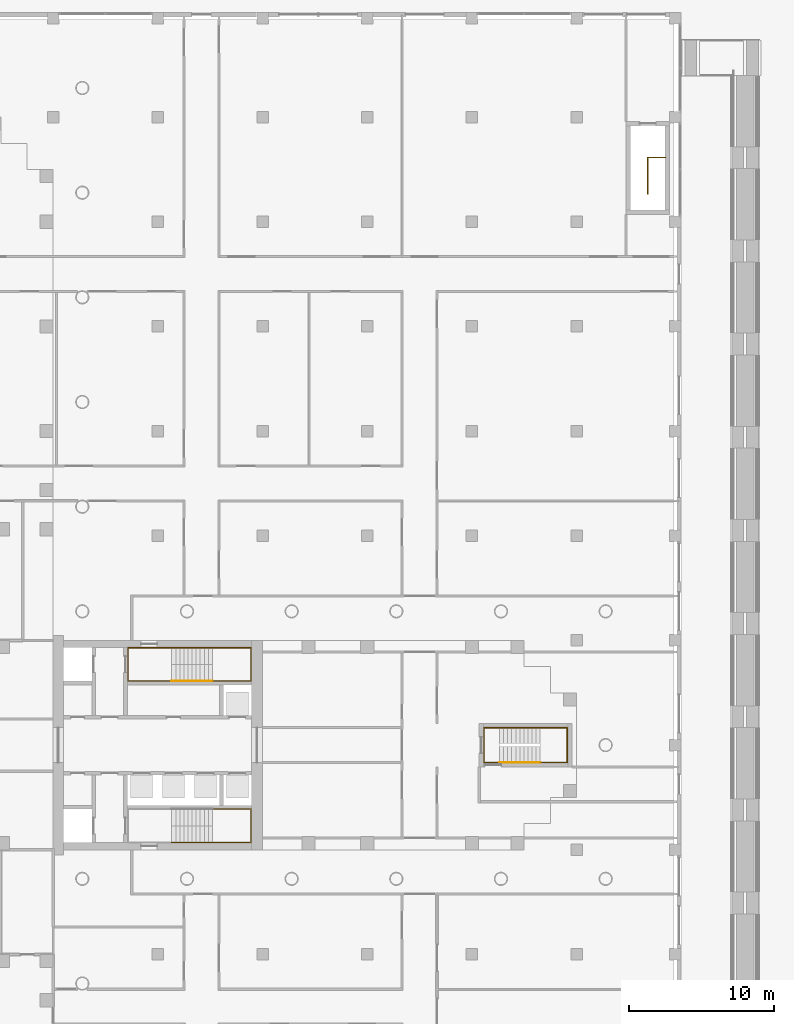
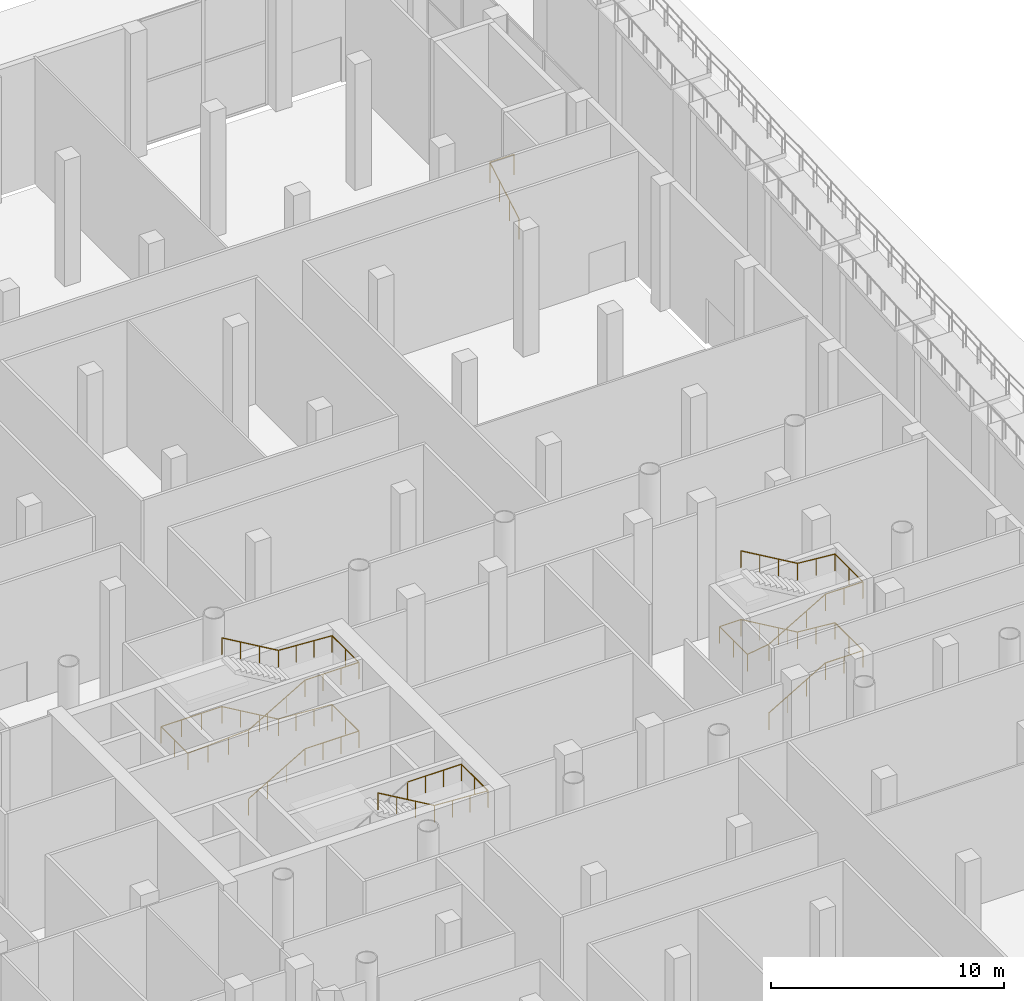
# One storey, part 43 of 44: 10 railings.
"""IFC4 building model written with IfcOpenShell, lengths in metres."""

from ifc_helpers import new_model, si_unit, direction, frame, origin, origin_2d, place, context, subcontext, project, spatial, circle, extrude, material, type_object, element, save


model = new_model("IFC4")

# Units and contexts
model_context = context("Model", 3, precision=1e-05, world=origin(), true_north=direction((0.0, 1.0)))
body_context = subcontext(model_context, "Body", "Model", "MODEL_VIEW")
ifc_project = project(units=[si_unit("LENGTHUNIT", "METRE"), si_unit("AREAUNIT", "SQUARE_METRE"), si_unit("VOLUMEUNIT", "CUBIC_METRE"), si_unit("PLANEANGLEUNIT", "RADIAN"), si_unit("MASSUNIT", "GRAM", prefix="KILO")], contexts=[model_context])

# Site, building, storey
site_placement = place(None, origin())
site = spatial("IfcSite", under=ifc_project, at=site_placement, CompositionType="ELEMENT")
building_placement = place(site_placement, origin())
building = spatial("IfcBuilding", under=site, at=building_placement, Name="Fustian Cross Tower", CompositionType="ELEMENT")
storey_placement = place(building_placement, origin())
storey = spatial("IfcBuildingStorey", under=building, at=storey_placement, Name="L00", CompositionType="ELEMENT", Elevation=0.0)

# Railings
ifc_material_1 = material(Name="Stainless steel", Category="steel")
railing_type_1 = type_object("IfcRailingType", Name="STAIR GUARD", PredefinedType="GUARDRAIL", material=ifc_material_1)
railing_1_placement = place(storey_placement, frame((48.10009765625, 37.89990234375, -1.43994140625)))
element("IfcRailing", 1, at=railing_1_placement, inside=storey, type_object=railing_type_1, Name="Stair ST10 guard", PredefinedType="GUARDRAIL", context=body_context, shape_type="SweptSolid", body=[
    extrude(circle(Radius=0.02490234375, at=origin_2d()), frame((0.0, 0.0, 1.0751953125), z_axis=(0.0, 0.868253494771, 0.496120820787), x_axis=(-1.0, 0.0, 0.0)), (0.0, 0.0, 1.0), 2.90234375),
    extrude(circle(Radius=0.02490234375, at=origin_2d()), frame((0.0, 2.52001953125, 2.51513671875), z_axis=(1.0, 0.0, 0.0), x_axis=(0.0, 1.0, 0.0)), (0.0, 0.0, 1.0), 1.199951171875),
    extrude(circle(Radius=0.02001953125, at=origin_2d()), origin(), (0.0, 0.0, 1.0), 1.050048828125),
    extrude(circle(Radius=0.02001953125, at=origin_2d()), frame((0.0, 0.840087890625, 0.47998046875)), (0.0, 0.0, 1.0), 1.050048828125),
    extrude(circle(Radius=0.02001953125, at=origin_2d()), frame((0.0, 1.679931640625, 0.9599609375)), (0.0, 0.0, 1.0), 1.050048828125),
    extrude(circle(Radius=0.02001953125, at=origin_2d()), frame((0.0, 2.52001953125, 1.43994140625)), (0.0, 0.0, 1.0), 1.050048828125),
    extrude(circle(Radius=0.02001953125, at=origin_2d()), frame((1.199951171875, 2.52001953125, 1.43994140625)), (0.0, 0.0, 1.0), 1.050048828125),
])
ifc_material_2 = material(Name="Stainless steel", Category="steel")
railing_type_2 = type_object("IfcRailingType", Name="STAIR HANDRAIL", PredefinedType="HANDRAIL", material=ifc_material_2)
railing_2_placement = place(storey_placement, frame((15.35009765625, 4.39990234375, 0.16357421875)))
element("IfcRailing", 2, at=railing_2_placement, inside=storey, type_object=railing_type_2, Name="Stair ST1 handrail 1", PredefinedType="HANDRAIL", context=body_context, shape_type="SweptSolid", body=[
    extrude(circle(Radius=0.02490234375, at=origin_2d()), frame((0.0, 0.0, 0.875), z_axis=(0.863341702679, 0.0, 0.504619762213), x_axis=(0.0, 1.0, 0.0)), (0.0, 0.0, 1.0), 3.242919921875),
    extrude(circle(Radius=0.02001953125, at=origin_2d()), origin(), (0.0, 0.0, 1.0), 0.849853515625),
    extrude(circle(Radius=0.02001953125, at=origin_2d()), frame((0.933349609375, 0.0, 0.54541015625)), (0.0, 0.0, 1.0), 0.849853515625),
    extrude(circle(Radius=0.02001953125, at=origin_2d()), frame((1.866455078125, 0.0, 1.091064453125)), (0.0, 0.0, 1.0), 0.849853515625),
    extrude(circle(Radius=0.02001953125, at=origin_2d()), frame((2.7998046875, 0.0, 1.636474609375)), (0.0, 0.0, 1.0), 0.849853515625),
])
railing_3_placement = place(storey_placement, frame((18.14990234375, 4.39990234375, 1.800048828125)))
element("IfcRailing", 3, at=railing_3_placement, inside=storey, type_object=railing_type_2, Name="Stair ST1 handrail 2", PredefinedType="HANDRAIL", context=body_context, shape_type="SweptSolid", body=[
    extrude(circle(Radius=0.02490234375, at=origin_2d()), frame((0.0, 0.0, 0.875), z_axis=(1.0, 0.0, 0.0), x_axis=(0.0, 1.0, 0.0)), (0.0, 0.0, 1.0), 2.66015625),
    extrude(circle(Radius=0.02490234375, at=origin_2d()), frame((2.66015625, 0.0, 0.875), z_axis=(0.0, 1.0, 0.0), x_axis=(-1.0, 0.0, 0.0)), (0.0, 0.0, 1.0), 2.300048828125),
    extrude(circle(Radius=0.02490234375, at=origin_2d()), frame((2.66015625, 2.300048828125, 0.875), z_axis=(-0.998114806323, 0.0, 0.061374533796), x_axis=(0.0, -1.0, 0.0)), (0.0, 0.0, 1.0), 2.665283203125),
    extrude(circle(Radius=0.02490234375, at=origin_2d()), frame((0.0, 2.300048828125, 1.03857421875), z_axis=(-0.863341702679, 0.0, 0.504619762213), x_axis=(0.0, -1.0, 0.0)), (0.0, 0.0, 1.0), 3.242919921875),
    extrude(circle(Radius=0.02001953125, at=origin_2d()), origin(), (0.0, 0.0, 1.0), 0.849853515625),
    extrude(circle(Radius=0.02001953125, at=origin_2d()), frame((0.88671875, 0.0, 0.0)), (0.0, 0.0, 1.0), 0.849853515625),
    extrude(circle(Radius=0.02001953125, at=origin_2d()), frame((1.7734375, 0.0, 0.0)), (0.0, 0.0, 1.0), 0.849853515625),
    extrude(circle(Radius=0.02001953125, at=origin_2d()), frame((2.66015625, 0.0, 0.0)), (0.0, 0.0, 1.0), 0.849853515625),
    extrude(circle(Radius=0.02001953125, at=origin_2d()), frame((2.66015625, 1.14990234375, 0.0)), (0.0, 0.0, 1.0), 0.849853515625),
    extrude(circle(Radius=0.02001953125, at=origin_2d()), frame((2.66015625, 2.300048828125, 0.0)), (0.0, 0.0, 1.0), 0.849853515625),
    extrude(circle(Radius=0.02001953125, at=origin_2d()), frame((1.7734375, 2.300048828125, 0.054443359375)), (0.0, 0.0, 1.0), 0.849853515625),
    extrude(circle(Radius=0.02001953125, at=origin_2d()), frame((0.88671875, 2.300048828125, 0.109130859375)), (0.0, 0.0, 1.0), 0.849853515625),
    extrude(circle(Radius=0.02001953125, at=origin_2d()), frame((0.0, 2.300048828125, 0.16357421875)), (0.0, 0.0, 1.0), 0.849853515625),
    extrude(circle(Radius=0.02001953125, at=origin_2d()), frame((-0.933349609375, 2.300048828125, 0.708984375)), (0.0, 0.0, 1.0), 0.849853515625),
    extrude(circle(Radius=0.02001953125, at=origin_2d()), frame((-1.866455078125, 2.300048828125, 1.254638671875)), (0.0, 0.0, 1.0), 0.849853515625),
    extrude(circle(Radius=0.02001953125, at=origin_2d()), frame((-2.7998046875, 2.300048828125, 1.800048828125)), (0.0, 0.0, 1.0), 0.849853515625),
])
railing_4_placement = place(storey_placement, frame((15.35009765625, 6.699951171875, 3.60009765625)))
element("IfcRailing", 4, at=railing_4_placement, inside=storey, type_object=railing_type_2, Name="Stair ST1 handrail 3", PredefinedType="HANDRAIL", context=body_context, shape_type="SweptSolid", body=[
    extrude(circle(Radius=0.02490234375, at=origin_2d()), frame((0.0, 0.0, 0.875), z_axis=(-1.0, 0.0, 0.0), x_axis=(0.0, -1.0, 0.0)), (0.0, 0.0, 1.0), 3.010009765625),
    extrude(circle(Radius=0.02490234375, at=origin_2d()), frame((-3.010009765625, 0.0, 0.875), z_axis=(0.0, -1.0, 0.0), x_axis=(1.0, 0.0, 0.0)), (0.0, 0.0, 1.0), 2.300048828125),
    extrude(circle(Radius=0.02490234375, at=origin_2d()), frame((-3.010009765625, -2.300048828125, 0.875), z_axis=(0.998526658971, 0.0, 0.05426335157), x_axis=(0.0, 1.0, 0.0)), (0.0, 0.0, 1.0), 3.014404296875),
    extrude(circle(Radius=0.02490234375, at=origin_2d()), frame((0.0, -2.300048828125, 1.03857421875), z_axis=(0.863374499697, 0.0, 0.504563646405), x_axis=(0.0, 1.0, 0.0)), (0.0, 0.0, 1.0), 3.242919921875),
    extrude(circle(Radius=0.02001953125, at=origin_2d()), origin(), (0.0, 0.0, 1.0), 0.849853515625),
    extrude(circle(Radius=0.02001953125, at=origin_2d()), frame((-1.00341796875, 0.0, 0.0)), (0.0, 0.0, 1.0), 0.849853515625),
    extrude(circle(Radius=0.02001953125, at=origin_2d()), frame((-2.006591796875, 0.0, 0.0)), (0.0, 0.0, 1.0), 0.849853515625),
    extrude(circle(Radius=0.02001953125, at=origin_2d()), frame((-3.010009765625, 0.0, 0.0)), (0.0, 0.0, 1.0), 0.849853515625),
    extrude(circle(Radius=0.02001953125, at=origin_2d()), frame((-3.010009765625, -1.14990234375, 0.0)), (0.0, 0.0, 1.0), 0.849853515625),
    extrude(circle(Radius=0.02001953125, at=origin_2d()), frame((-3.010009765625, -2.300048828125, 0.0)), (0.0, 0.0, 1.0), 0.849853515625),
    extrude(circle(Radius=0.02001953125, at=origin_2d()), frame((-2.006591796875, -2.300048828125, 0.054443359375)), (0.0, 0.0, 1.0), 0.849853515625),
    extrude(circle(Radius=0.02001953125, at=origin_2d()), frame((-1.00341796875, -2.300048828125, 0.109130859375)), (0.0, 0.0, 1.0), 0.849853515625),
    extrude(circle(Radius=0.02001953125, at=origin_2d()), frame((0.0, -2.300048828125, 0.16357421875)), (0.0, 0.0, 1.0), 0.849853515625),
    extrude(circle(Radius=0.02001953125, at=origin_2d()), frame((0.933349609375, -2.300048828125, 0.708984375)), (0.0, 0.0, 1.0), 0.849853515625),
    extrude(circle(Radius=0.02001953125, at=origin_2d()), frame((1.866455078125, -2.300048828125, 1.25439453125)), (0.0, 0.0, 1.0), 0.849853515625),
    extrude(circle(Radius=0.02001953125, at=origin_2d()), frame((2.7998046875, -2.300048828125, 1.7998046875)), (0.0, 0.0, 1.0), 0.849853515625),
])
railing_5_placement = place(storey_placement, frame((18.14990234375, 4.39990234375, 5.39990234375)))
element("IfcRailing", 5, at=railing_5_placement, inside=storey, type_object=railing_type_2, Name="Stair ST1 handrail 4", PredefinedType="HANDRAIL", context=body_context, shape_type="SweptSolid", body=[
    extrude(circle(Radius=0.02490234375, at=origin_2d()), frame((0.0, 0.0, 0.875), z_axis=(1.0, 0.0, 0.0), x_axis=(0.0, 1.0, 0.0)), (0.0, 0.0, 1.0), 2.66015625),
    extrude(circle(Radius=0.02490234375, at=origin_2d()), frame((2.66015625, 0.0, 0.875), z_axis=(0.0, 1.0, 0.0), x_axis=(-1.0, 0.0, 0.0)), (0.0, 0.0, 1.0), 2.300048828125),
    extrude(circle(Radius=0.02490234375, at=origin_2d()), frame((2.66015625, 2.300048828125, 0.875), z_axis=(-0.998109190642, 0.0, 0.061465791751), x_axis=(0.0, -1.0, 0.0)), (0.0, 0.0, 1.0), 2.665283203125),
    extrude(circle(Radius=0.02490234375, at=origin_2d()), frame((0.0, 2.300048828125, 1.03857421875), z_axis=(-0.863374499697, 0.0, 0.504563646405), x_axis=(0.0, -1.0, 0.0)), (0.0, 0.0, 1.0), 3.242919921875),
    extrude(circle(Radius=0.02001953125, at=origin_2d()), origin(), (0.0, 0.0, 1.0), 0.849853515625),
    extrude(circle(Radius=0.02001953125, at=origin_2d()), frame((0.88671875, 0.0, 0.0)), (0.0, 0.0, 1.0), 0.849853515625),
    extrude(circle(Radius=0.02001953125, at=origin_2d()), frame((1.7734375, 0.0, 0.0)), (0.0, 0.0, 1.0), 0.849853515625),
    extrude(circle(Radius=0.02001953125, at=origin_2d()), frame((2.66015625, 0.0, 0.0)), (0.0, 0.0, 1.0), 0.849853515625),
    extrude(circle(Radius=0.02001953125, at=origin_2d()), frame((2.66015625, 1.14990234375, 0.0)), (0.0, 0.0, 1.0), 0.849853515625),
    extrude(circle(Radius=0.02001953125, at=origin_2d()), frame((2.66015625, 2.300048828125, 0.0)), (0.0, 0.0, 1.0), 0.849853515625),
    extrude(circle(Radius=0.02001953125, at=origin_2d()), frame((1.7734375, 2.300048828125, 0.0546875)), (0.0, 0.0, 1.0), 0.849853515625),
    extrude(circle(Radius=0.02001953125, at=origin_2d()), frame((0.88671875, 2.300048828125, 0.109130859375)), (0.0, 0.0, 1.0), 0.849853515625),
    extrude(circle(Radius=0.02001953125, at=origin_2d()), frame((0.0, 2.300048828125, 0.163818359375)), (0.0, 0.0, 1.0), 0.849853515625),
    extrude(circle(Radius=0.02001953125, at=origin_2d()), frame((-0.933349609375, 2.300048828125, 0.709228515625)), (0.0, 0.0, 1.0), 0.849853515625),
    extrude(circle(Radius=0.02001953125, at=origin_2d()), frame((-1.866455078125, 2.300048828125, 1.254638671875)), (0.0, 0.0, 1.0), 0.849853515625),
    extrude(circle(Radius=0.02001953125, at=origin_2d()), frame((-2.7998046875, 2.300048828125, 1.800048828125)), (0.0, 0.0, 1.0), 0.849853515625),
])
railing_6_placement = place(storey_placement, frame((18.14990234375, -4.39990234375, 5.39990234375)))
element("IfcRailing", 6, at=railing_6_placement, inside=storey, type_object=railing_type_2, Name="Stair ST2 handrail 4", PredefinedType="HANDRAIL", context=body_context, shape_type="SweptSolid", body=[
    extrude(circle(Radius=0.02490234375, at=origin_2d()), frame((0.0, 0.0, 0.875), z_axis=(1.0, 0.0, 0.0), x_axis=(0.0, 1.0, 0.0)), (0.0, 0.0, 1.0), 2.66015625),
    extrude(circle(Radius=0.02490234375, at=origin_2d()), frame((2.66015625, 0.0, 0.875), z_axis=(0.0, -1.0, 0.0), x_axis=(1.0, 0.0, 0.0)), (0.0, 0.0, 1.0), 2.300048828125),
    extrude(circle(Radius=0.02490234375, at=origin_2d()), frame((2.66015625, -2.300048828125, 0.875), z_axis=(-0.998109190642, 0.0, 0.061465791751), x_axis=(0.0, -1.0, 0.0)), (0.0, 0.0, 1.0), 2.665283203125),
    extrude(circle(Radius=0.02490234375, at=origin_2d()), frame((0.0, -2.300048828125, 1.03857421875), z_axis=(-0.863374499697, 0.0, 0.504563646405), x_axis=(0.0, -1.0, 0.0)), (0.0, 0.0, 1.0), 3.242919921875),
    extrude(circle(Radius=0.02001953125, at=origin_2d()), origin(), (0.0, 0.0, 1.0), 0.849853515625),
    extrude(circle(Radius=0.02001953125, at=origin_2d()), frame((0.88671875, 0.0, 0.0)), (0.0, 0.0, 1.0), 0.849853515625),
    extrude(circle(Radius=0.02001953125, at=origin_2d()), frame((1.7734375, 0.0, 0.0)), (0.0, 0.0, 1.0), 0.849853515625),
    extrude(circle(Radius=0.02001953125, at=origin_2d()), frame((2.66015625, 0.0, 0.0)), (0.0, 0.0, 1.0), 0.849853515625),
    extrude(circle(Radius=0.02001953125, at=origin_2d()), frame((2.66015625, -1.14990234375, 0.0)), (0.0, 0.0, 1.0), 0.849853515625),
    extrude(circle(Radius=0.02001953125, at=origin_2d()), frame((2.66015625, -2.300048828125, 0.0)), (0.0, 0.0, 1.0), 0.849853515625),
    extrude(circle(Radius=0.02001953125, at=origin_2d()), frame((1.7734375, -2.300048828125, 0.0546875)), (0.0, 0.0, 1.0), 0.849853515625),
    extrude(circle(Radius=0.02001953125, at=origin_2d()), frame((0.88671875, -2.300048828125, 0.109130859375)), (0.0, 0.0, 1.0), 0.849853515625),
    extrude(circle(Radius=0.02001953125, at=origin_2d()), frame((0.0, -2.300048828125, 0.163818359375)), (0.0, 0.0, 1.0), 0.849853515625),
    extrude(circle(Radius=0.02001953125, at=origin_2d()), frame((-0.933349609375, -2.300048828125, 0.709228515625)), (0.0, 0.0, 1.0), 0.849853515625),
    extrude(circle(Radius=0.02001953125, at=origin_2d()), frame((-1.866455078125, -2.300048828125, 1.254638671875)), (0.0, 0.0, 1.0), 0.849853515625),
    extrude(circle(Radius=0.02001953125, at=origin_2d()), frame((-2.7998046875, -2.300048828125, 1.800048828125)), (0.0, 0.0, 1.0), 0.849853515625),
])
railing_7_placement = place(storey_placement, frame((37.89990234375, -1.199951171875, 0.16357421875)))
element("IfcRailing", 7, at=railing_7_placement, inside=storey, type_object=railing_type_2, Name="Stair ST8 handrail 1", PredefinedType="HANDRAIL", context=body_context, shape_type="SweptSolid", body=[
    extrude(circle(Radius=0.02490234375, at=origin_2d()), frame((0.0, 0.0, 0.875), z_axis=(0.863360870873, 0.0, 0.504586966384), x_axis=(0.0, 1.0, 0.0)), (0.0, 0.0, 1.0), 3.2431640625),
    extrude(circle(Radius=0.02001953125, at=origin_2d()), origin(), (0.0, 0.0, 1.0), 0.849853515625),
    extrude(circle(Radius=0.02001953125, at=origin_2d()), frame((0.933349609375, 0.0, 0.54541015625)), (0.0, 0.0, 1.0), 0.849853515625),
    extrude(circle(Radius=0.02001953125, at=origin_2d()), frame((1.86669921875, 0.0, 1.091064453125)), (0.0, 0.0, 1.0), 0.849853515625),
    extrude(circle(Radius=0.02001953125, at=origin_2d()), frame((2.800048828125, 0.0, 1.636474609375)), (0.0, 0.0, 1.0), 0.849853515625),
])
railing_8_placement = place(storey_placement, frame((40.699951171875, -1.199951171875, 1.800048828125)))
element("IfcRailing", 8, at=railing_8_placement, inside=storey, type_object=railing_type_2, Name="Stair ST8 handrail 2", PredefinedType="HANDRAIL", context=body_context, shape_type="SweptSolid", body=[
    extrude(circle(Radius=0.02490234375, at=origin_2d()), frame((0.0, 0.0, 0.875), z_axis=(1.0, 0.0, 0.0), x_axis=(0.0, 1.0, 0.0)), (0.0, 0.0, 1.0), 1.860107421875),
    extrude(circle(Radius=0.02490234375, at=origin_2d()), frame((1.860107421875, 0.0, 0.875), z_axis=(0.0, 1.0, 0.0), x_axis=(-1.0, 0.0, 0.0)), (0.0, 0.0, 1.0), 2.39990234375),
    extrude(circle(Radius=0.02490234375, at=origin_2d()), frame((1.860107421875, 2.39990234375, 0.875), z_axis=(-0.996155731489, 0.0, 0.087599992138), x_axis=(0.0, -1.0, 0.0)), (0.0, 0.0, 1.0), 1.8671875),
    extrude(circle(Radius=0.02490234375, at=origin_2d()), frame((0.0, 2.39990234375, 1.03857421875), z_axis=(-0.863360870873, 0.0, 0.504586966384), x_axis=(0.0, -1.0, 0.0)), (0.0, 0.0, 1.0), 3.2431640625),
    extrude(circle(Radius=0.02001953125, at=origin_2d()), origin(), (0.0, 0.0, 1.0), 0.849853515625),
    extrude(circle(Radius=0.02001953125, at=origin_2d()), frame((0.93017578125, 0.0, 0.0)), (0.0, 0.0, 1.0), 0.849853515625),
    extrude(circle(Radius=0.02001953125, at=origin_2d()), frame((1.860107421875, 0.0, 0.0)), (0.0, 0.0, 1.0), 0.849853515625),
    extrude(circle(Radius=0.02001953125, at=origin_2d()), frame((1.860107421875, 1.199951171875, 0.0)), (0.0, 0.0, 1.0), 0.849853515625),
    extrude(circle(Radius=0.02001953125, at=origin_2d()), frame((1.860107421875, 2.39990234375, 0.0)), (0.0, 0.0, 1.0), 0.849853515625),
    extrude(circle(Radius=0.02001953125, at=origin_2d()), frame((0.93017578125, 2.39990234375, 0.081787109375)), (0.0, 0.0, 1.0), 0.849853515625),
    extrude(circle(Radius=0.02001953125, at=origin_2d()), frame((0.0, 2.39990234375, 0.16357421875)), (0.0, 0.0, 1.0), 0.849853515625),
    extrude(circle(Radius=0.02001953125, at=origin_2d()), frame((-0.933349609375, 2.39990234375, 0.708984375)), (0.0, 0.0, 1.0), 0.849853515625),
    extrude(circle(Radius=0.02001953125, at=origin_2d()), frame((-1.86669921875, 2.39990234375, 1.254638671875)), (0.0, 0.0, 1.0), 0.849853515625),
    extrude(circle(Radius=0.02001953125, at=origin_2d()), frame((-2.800048828125, 2.39990234375, 1.800048828125)), (0.0, 0.0, 1.0), 0.849853515625),
])
railing_9_placement = place(storey_placement, frame((37.89990234375, 1.199951171875, 3.60009765625)))
element("IfcRailing", 9, at=railing_9_placement, inside=storey, type_object=railing_type_2, Name="Stair ST8 handrail 3", PredefinedType="HANDRAIL", context=body_context, shape_type="SweptSolid", body=[
    extrude(circle(Radius=0.02490234375, at=origin_2d()), frame((0.0, 0.0, 0.875), z_axis=(-1.0, 0.0, 0.0), x_axis=(0.0, -1.0, 0.0)), (0.0, 0.0, 1.0), 1.059814453125),
    extrude(circle(Radius=0.02490234375, at=origin_2d()), frame((-1.059814453125, 0.0, 0.875), z_axis=(0.0, -1.0, 0.0), x_axis=(1.0, 0.0, 0.0)), (0.0, 0.0, 1.0), 2.39990234375),
    extrude(circle(Radius=0.02490234375, at=origin_2d()), frame((-1.059814453125, -2.39990234375, 0.875), z_axis=(0.988297886235, 0.0, 0.152536186081), x_axis=(0.0, 1.0, 0.0)), (0.0, 0.0, 1.0), 1.072265625),
    extrude(circle(Radius=0.02490234375, at=origin_2d()), frame((0.0, -2.39990234375, 1.03857421875), z_axis=(0.863393664356, 0.0, 0.504530851732), x_axis=(0.0, 1.0, 0.0)), (0.0, 0.0, 1.0), 3.2431640625),
    extrude(circle(Radius=0.02001953125, at=origin_2d()), origin(), (0.0, 0.0, 1.0), 0.849853515625),
    extrude(circle(Radius=0.02001953125, at=origin_2d()), frame((-1.059814453125, 0.0, 0.0)), (0.0, 0.0, 1.0), 0.849853515625),
    extrude(circle(Radius=0.02001953125, at=origin_2d()), frame((-1.059814453125, -1.199951171875, 0.0)), (0.0, 0.0, 1.0), 0.849853515625),
    extrude(circle(Radius=0.02001953125, at=origin_2d()), frame((-1.059814453125, -2.39990234375, 0.0)), (0.0, 0.0, 1.0), 0.849853515625),
    extrude(circle(Radius=0.02001953125, at=origin_2d()), frame((0.0, -2.39990234375, 0.16357421875)), (0.0, 0.0, 1.0), 0.849853515625),
    extrude(circle(Radius=0.02001953125, at=origin_2d()), frame((0.933349609375, -2.39990234375, 0.708984375)), (0.0, 0.0, 1.0), 0.849853515625),
    extrude(circle(Radius=0.02001953125, at=origin_2d()), frame((1.86669921875, -2.39990234375, 1.25439453125)), (0.0, 0.0, 1.0), 0.849853515625),
    extrude(circle(Radius=0.02001953125, at=origin_2d()), frame((2.800048828125, -2.39990234375, 1.7998046875)), (0.0, 0.0, 1.0), 0.849853515625),
])
railing_10_placement = place(storey_placement, frame((40.699951171875, -1.199951171875, 5.39990234375)))
element("IfcRailing", 10, at=railing_10_placement, inside=storey, type_object=railing_type_2, Name="Stair ST8 handrail 4", PredefinedType="HANDRAIL", context=body_context, shape_type="SweptSolid", body=[
    extrude(circle(Radius=0.02490234375, at=origin_2d()), frame((0.0, 0.0, 0.875), z_axis=(1.0, 0.0, 0.0), x_axis=(0.0, 1.0, 0.0)), (0.0, 0.0, 1.0), 1.860107421875),
    extrude(circle(Radius=0.02490234375, at=origin_2d()), frame((1.860107421875, 0.0, 0.875), z_axis=(0.0, 1.0, 0.0), x_axis=(-1.0, 0.0, 0.0)), (0.0, 0.0, 1.0), 2.39990234375),
    extrude(circle(Radius=0.02490234375, at=origin_2d()), frame((1.860107421875, 2.39990234375, 0.875), z_axis=(-0.996144313829, 0.0, 0.087729732849), x_axis=(0.0, -1.0, 0.0)), (0.0, 0.0, 1.0), 1.8671875),
    extrude(circle(Radius=0.02490234375, at=origin_2d()), frame((0.0, 2.39990234375, 1.03857421875), z_axis=(-0.863393664356, 0.0, 0.504530851732), x_axis=(0.0, -1.0, 0.0)), (0.0, 0.0, 1.0), 3.2431640625),
    extrude(circle(Radius=0.02001953125, at=origin_2d()), origin(), (0.0, 0.0, 1.0), 0.849853515625),
    extrude(circle(Radius=0.02001953125, at=origin_2d()), frame((0.93017578125, 0.0, 0.0)), (0.0, 0.0, 1.0), 0.849853515625),
    extrude(circle(Radius=0.02001953125, at=origin_2d()), frame((1.860107421875, 0.0, 0.0)), (0.0, 0.0, 1.0), 0.849853515625),
    extrude(circle(Radius=0.02001953125, at=origin_2d()), frame((1.860107421875, 1.199951171875, 0.0)), (0.0, 0.0, 1.0), 0.849853515625),
    extrude(circle(Radius=0.02001953125, at=origin_2d()), frame((1.860107421875, 2.39990234375, 0.0)), (0.0, 0.0, 1.0), 0.849853515625),
    extrude(circle(Radius=0.02001953125, at=origin_2d()), frame((0.93017578125, 2.39990234375, 0.08203125)), (0.0, 0.0, 1.0), 0.849853515625),
    extrude(circle(Radius=0.02001953125, at=origin_2d()), frame((0.0, 2.39990234375, 0.163818359375)), (0.0, 0.0, 1.0), 0.849853515625),
    extrude(circle(Radius=0.02001953125, at=origin_2d()), frame((-0.933349609375, 2.39990234375, 0.709228515625)), (0.0, 0.0, 1.0), 0.849853515625),
    extrude(circle(Radius=0.02001953125, at=origin_2d()), frame((-1.86669921875, 2.39990234375, 1.254638671875)), (0.0, 0.0, 1.0), 0.849853515625),
    extrude(circle(Radius=0.02001953125, at=origin_2d()), frame((-2.800048828125, 2.39990234375, 1.800048828125)), (0.0, 0.0, 1.0), 0.849853515625),
])

save(model, "model.ifc")
